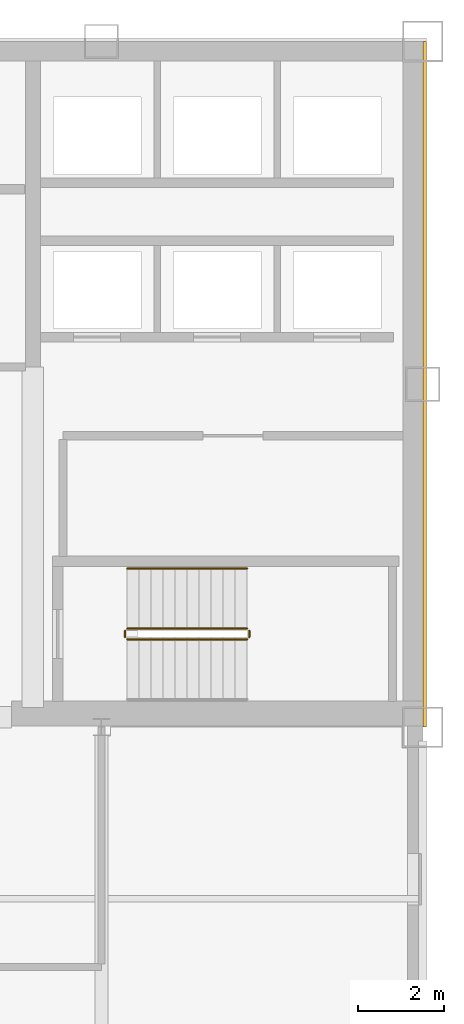
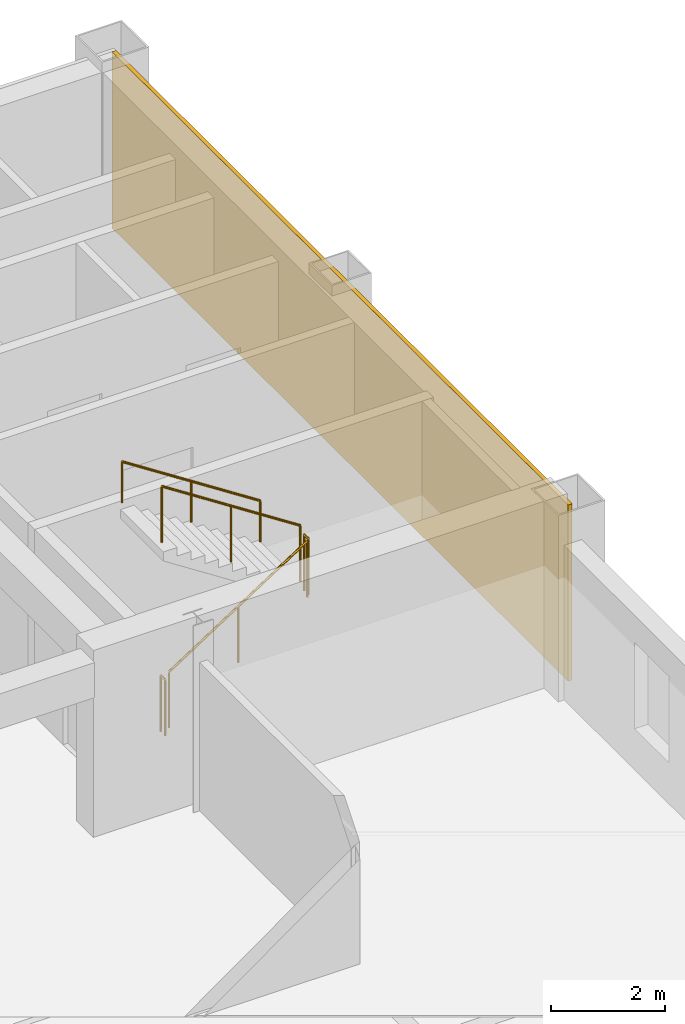
# One storey, part 8 of 10: 5 railings, 1 covering.
"""IFC4 building model written with IfcOpenShell, lengths in metres."""

from ifc_helpers import new_model, si_unit, direction, frame, origin, origin_2d, place, context, subcontext, project, spatial, rectangle, circle, extrude, material, layer, layer_set, type_object, element, save


model = new_model("IFC4")

# Units and contexts
model_context = context("Model", 3, precision=1e-05, world=origin(), true_north=direction((0.0, 1.0)))
body_context = subcontext(model_context, "Body", "Model", "MODEL_VIEW")
ifc_project = project(units=[si_unit("LENGTHUNIT", "METRE"), si_unit("AREAUNIT", "SQUARE_METRE"), si_unit("VOLUMEUNIT", "CUBIC_METRE"), si_unit("PLANEANGLEUNIT", "RADIAN"), si_unit("MASSUNIT", "GRAM", prefix="KILO")], contexts=[model_context])

# Site, building, storey
site_placement = place(None, origin())
site = spatial("IfcSite", under=ifc_project, at=site_placement, CompositionType="ELEMENT")
building_placement = place(site_placement, origin())
building = spatial("IfcBuilding", under=site, at=building_placement, Name="Qianrong Seaharbour Tower", CompositionType="ELEMENT")
storey_placement = place(building_placement, frame((0.0, 0.0, 237.800048828125)))
storey = spatial("IfcBuildingStorey", under=building, at=storey_placement, Name="L57", CompositionType="ELEMENT", Elevation=237.800048828125)

# Covering
ifc_material_1 = material(Name="Unitised red brick cladding on Precast concrete C45/55", Category="masonry")
ifc_layer = layer(ifc_material_1, 0.080078125)
ifc_layer_set = layer_set([ifc_layer], Name="Unitised red brick cladding on Precast concrete C45/55")
covering_type = type_object("IfcCoveringType", Name="COV-CLAD-RED-BRICK-80", PredefinedType="CLADDING", material=ifc_layer_set)
covering_placement = place(storey_placement, frame((64.0400390625, 44.0, 0.0), z_axis=(0.0, 0.0, 1.0), x_axis=(1.0, 0.0, 0.0)))
element("IfcCovering", 1, at=covering_placement, inside=storey, type_object=covering_type, Name="L57 East Core Brick Veneer Cladding", PredefinedType="CLADDING", context=body_context, shape_type="SweptSolid", body=[
    extrude(rectangle(XDim=0.080078125, YDim=16.0, at=origin_2d()), origin(), (0.0, 0.0, 1.0), 3.77490234375),
])

# Railings
ifc_material_2 = material(Name="Galvanized painted steel SN400B stair guard", Category="steel")
railing_type_1 = type_object("IfcRailingType", Name="RAIL-STAIR-GUARD-1220", PredefinedType="GUARDRAIL", material=ifc_material_2)
railing_1_placement = place(storey_placement, frame((57.10009765625, 38.050048828125, 0.181884765625)))
element("IfcRailing", 2, at=railing_1_placement, inside=storey, type_object=railing_type_1, Name="L57 ST-2 stair guard 1", PredefinedType="GUARDRAIL", context=body_context, shape_type="SweptSolid", body=[
    extrude(circle(Radius=0.02392578125, at=origin_2d()), frame((0.0, 0.0, 1.19580078125), z_axis=(0.83868413941, 0.0, 0.544618136222), x_axis=(0.0, 1.0, 0.0)), (0.0, 0.0, 1.0), 3.33837890625),
    extrude(circle(Radius=0.02099609375, at=origin_2d()), origin(), (0.0, 0.0, 1.0), 1.171875),
    extrude(circle(Radius=0.02099609375, at=origin_2d()), frame((1.39990234375, 0.0, 0.9091796875)), (0.0, 0.0, 1.0), 1.171875),
    extrude(circle(Radius=0.02099609375, at=origin_2d()), frame((2.7998046875, 0.0, 1.818115234375)), (0.0, 0.0, 1.0), 1.171875),
])
railing_2_placement = place(storey_placement, frame((59.949951171875, 38.10009765625, 2.0)))
element("IfcRailing", 3, at=railing_2_placement, inside=storey, type_object=railing_type_1, Name="L57 ST-2 stair guard 2", PredefinedType="GUARDRAIL", context=body_context, shape_type="SweptSolid", body=[
    extrude(circle(Radius=0.02392578125, at=origin_2d()), frame((0.0, 0.0, 1.19580078125), z_axis=(0.0, 1.0, 0.0), x_axis=(-1.0, 0.0, 0.0)), (0.0, 0.0, 1.0), 0.14990234375),
    extrude(circle(Radius=0.02099609375, at=origin_2d()), origin(), (0.0, 0.0, 1.0), 1.171875),
    extrude(circle(Radius=0.02099609375, at=origin_2d()), frame((0.0, 0.14990234375, 0.0)), (0.0, 0.0, 1.0), 1.171875),
])
railing_3_placement = place(storey_placement, frame((59.89990234375, 38.300048828125, 2.181884765625)))
element("IfcRailing", 4, at=railing_3_placement, inside=storey, type_object=railing_type_1, Name="L57 ST-2 stair guard 3", PredefinedType="GUARDRAIL", context=body_context, shape_type="SweptSolid", body=[
    extrude(circle(Radius=0.02392578125, at=origin_2d()), frame((0.0, 0.0, 1.19580078125), z_axis=(-0.83868413941, 0.0, 0.544618136222), x_axis=(0.0, -1.0, 0.0)), (0.0, 0.0, 1.0), 3.33837890625),
    extrude(circle(Radius=0.02099609375, at=origin_2d()), origin(), (0.0, 0.0, 1.0), 1.171875),
    extrude(circle(Radius=0.02099609375, at=origin_2d()), frame((-1.39990234375, 0.0, 0.9091796875)), (0.0, 0.0, 1.0), 1.171875),
    extrude(circle(Radius=0.02099609375, at=origin_2d()), frame((-2.7998046875, 0.0, 1.818115234375)), (0.0, 0.0, 1.0), 1.171875),
])
railing_4_placement = place(storey_placement, frame((57.050048828125, 38.10009765625, 0.0)))
element("IfcRailing", 5, at=railing_4_placement, inside=storey, type_object=railing_type_1, Name="L57 ST-2 stair guard 4", PredefinedType="GUARDRAIL", context=body_context, shape_type="SweptSolid", body=[
    extrude(circle(Radius=0.02392578125, at=origin_2d()), frame((0.0, 0.0, 1.19580078125), z_axis=(0.0, 1.0, 0.0), x_axis=(-1.0, 0.0, 0.0)), (0.0, 0.0, 1.0), 0.14990234375),
    extrude(circle(Radius=0.02099609375, at=origin_2d()), origin(), (0.0, 0.0, 1.0), 1.171875),
    extrude(circle(Radius=0.02099609375, at=origin_2d()), frame((0.0, 0.14990234375, 0.0)), (0.0, 0.0, 1.0), 1.171875),
])
ifc_material_3 = material(Name="Stainless steel SUS316L continuous handrail", Category="steel")
railing_type_2 = type_object("IfcRailingType", Name="RAIL-STAIR-HANDRAIL-900", PredefinedType="HANDRAIL", material=ifc_material_3)
railing_5_placement = place(storey_placement, frame((59.89990234375, 39.699951171875, 2.181884765625)))
element("IfcRailing", 6, at=railing_5_placement, inside=storey, type_object=railing_type_2, Name="L57 ST-2 stair handrail 2", PredefinedType="HANDRAIL", context=body_context, shape_type="SweptSolid", body=[
    extrude(circle(Radius=0.02392578125, at=origin_2d()), frame((0.0, 0.0, 0.8759765625), z_axis=(-0.83868413941, 0.0, 0.544618136222), x_axis=(0.0, -1.0, 0.0)), (0.0, 0.0, 1.0), 3.33837890625),
    extrude(circle(Radius=0.02099609375, at=origin_2d()), origin(), (0.0, 0.0, 1.0), 0.851806640625),
    extrude(circle(Radius=0.02099609375, at=origin_2d()), frame((-1.39990234375, 0.0, 0.9091796875)), (0.0, 0.0, 1.0), 0.851806640625),
    extrude(circle(Radius=0.02099609375, at=origin_2d()), frame((-2.7998046875, 0.0, 1.818115234375)), (0.0, 0.0, 1.0), 0.851806640625),
])

save(model, "model.ifc")
